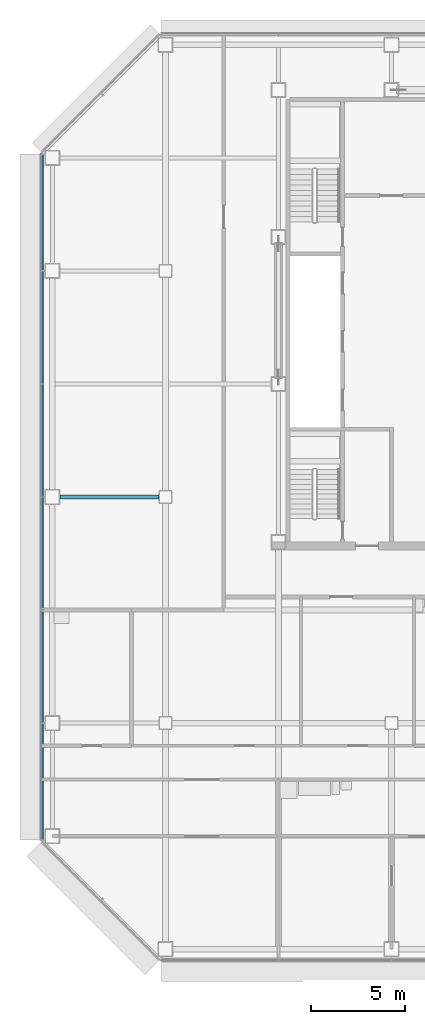
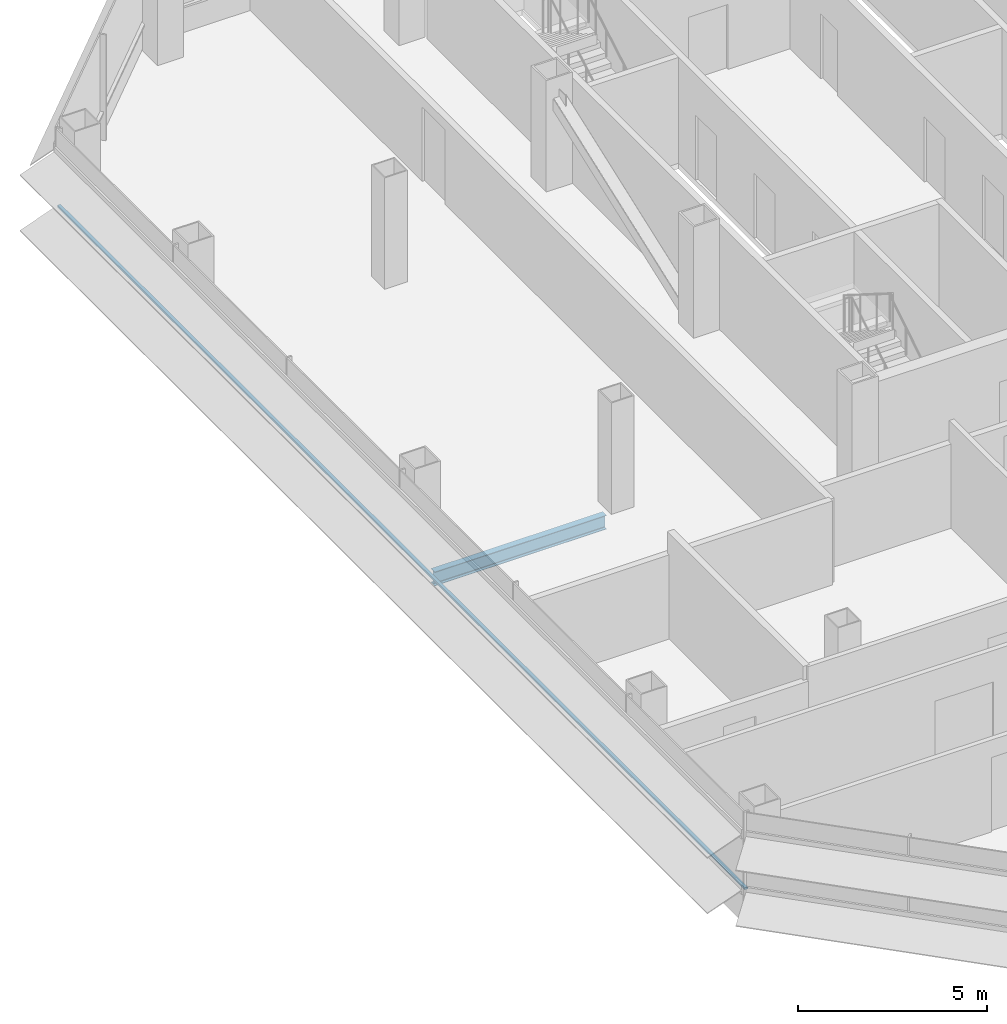
# One storey, part 5 of 25: 1 beam, 1 member, 1 element without a shape of its own.
"""IFC4 building model written with IfcOpenShell, lengths in metres."""

from ifc_helpers import new_model, si_unit, direction, frame, origin, origin_2d, place, context, subcontext, project, spatial, rectangle, i_section, extrude, material, material_profile, profile_set, type_object, element, aggregate, save


model = new_model("IFC4")

# Units and contexts
model_context = context("Model", 3, precision=1e-05, world=origin(), true_north=direction((0.0, 1.0)))
body_context = subcontext(model_context, "Body", "Model", "MODEL_VIEW")
ifc_project = project(units=[si_unit("LENGTHUNIT", "METRE"), si_unit("AREAUNIT", "SQUARE_METRE"), si_unit("VOLUMEUNIT", "CUBIC_METRE"), si_unit("PLANEANGLEUNIT", "RADIAN"), si_unit("MASSUNIT", "GRAM", prefix="KILO")], contexts=[model_context])

# Site, building, storey
site_placement = place(None, origin())
site = spatial("IfcSite", under=ifc_project, at=site_placement, CompositionType="ELEMENT")
building_placement = place(site_placement, origin())
building = spatial("IfcBuilding", under=site, at=building_placement, Name="Sorahane Residences", CompositionType="ELEMENT")
storey_placement = place(building_placement, frame((0.0, 0.0, 143.800048828125)))
storey = spatial("IfcBuildingStorey", under=building, at=storey_placement, Name="L32", CompositionType="ELEMENT", Elevation=143.800048828125)

# Curtain wall, member
ifc_material_1 = material(Name="Dark low-e glass and black anodised aluminium", Category="aluminium")
curtain_wall_type = type_object("IfcCurtainWallType", Name="Curtain wall CW-1 Typical unitised wall", PredefinedType="NOTDEFINED", material=ifc_material_1)
curtain_wall_placement = place(storey_placement, origin())
curtain_wall = element("IfcCurtainWall", 1, at=curtain_wall_placement, inside=storey, type_object=curtain_wall_type, Name="CW-1 curtain wall L32 W1", PredefinedType="NOTDEFINED")
ifc_material_2 = material(Name="Black anodised aluminium", Category="aluminium")
ifc_material_profile_1 = material_profile(ifc_material_2, rectangle(XDim=0.10009765625, YDim=0.06005859375, at=origin_2d()), Name="Curtain wall transom CW-1 black anodised aluminium 60x100")
ifc_profile_set_1 = profile_set([ifc_material_profile_1], Name="Black anodised aluminium")
member_type = type_object("IfcMemberType", Name="Curtain wall transom CW-1 black anodised aluminium 60x100", PredefinedType="USERDEFINED", material=ifc_profile_set_1)
member_placement = place(storey_placement, frame((-6.530029296875, 42.198486328125, 0.89990234375), z_axis=(0.0, -1.0, 0.0), x_axis=(1.0, 0.0, 0.0)))
member = element("IfcMember", 2, at=member_placement, type_object=member_type, Name="CW-1 transom L32 W1", ObjectType="TRANSOM", PredefinedType="USERDEFINED", context=body_context, shape_type="SweptSolid", body=[
    extrude(rectangle(XDim=0.10009765625, YDim=0.06005859375, at=origin_2d()), origin(), (0.0, 0.0, 1.0), 36.39697265625),
])
aggregate(curtain_wall, [member])

# Beam
ifc_material_3 = material(Name="Steel Q355B", Category="steel")
ifc_material_profile_2 = material_profile(ifc_material_3, i_section(OverallWidth=0.199951171875, OverallDepth=0.449951171875, WebThickness=0.009033203125, FlangeThickness=0.013916015625, FilletRadius=0.02001953125, at=origin_2d()), Name="HN 450x200x9x14")
ifc_profile_set_2 = profile_set([ifc_material_profile_2], Name="Steel Q355B")
beam_type = type_object("IfcBeamType", Name="Steel floor beam HN 450x200x9x14 Q355B", PredefinedType="BEAM", material=ifc_profile_set_2)
beam_placement = place(storey_placement, frame((-5.60009765625, 24.0, -0.405029296875), z_axis=(1.0, 0.0, 0.0), x_axis=(0.0, 1.0, 0.0)))
element("IfcBeam", 3, at=beam_placement, inside=storey, type_object=beam_type, Name="Beam L32 011", PredefinedType="BEAM", context=body_context, shape_type="SweptSolid", body=[
    extrude(i_section(OverallWidth=0.199951171875, OverallDepth=0.449951171875, WebThickness=0.009033203125, FlangeThickness=0.013916015625, FilletRadius=0.02001953125, at=origin_2d()), origin(), (0.0, 0.0, 1.0), 5.25),
])

save(model, "model.ifc")
